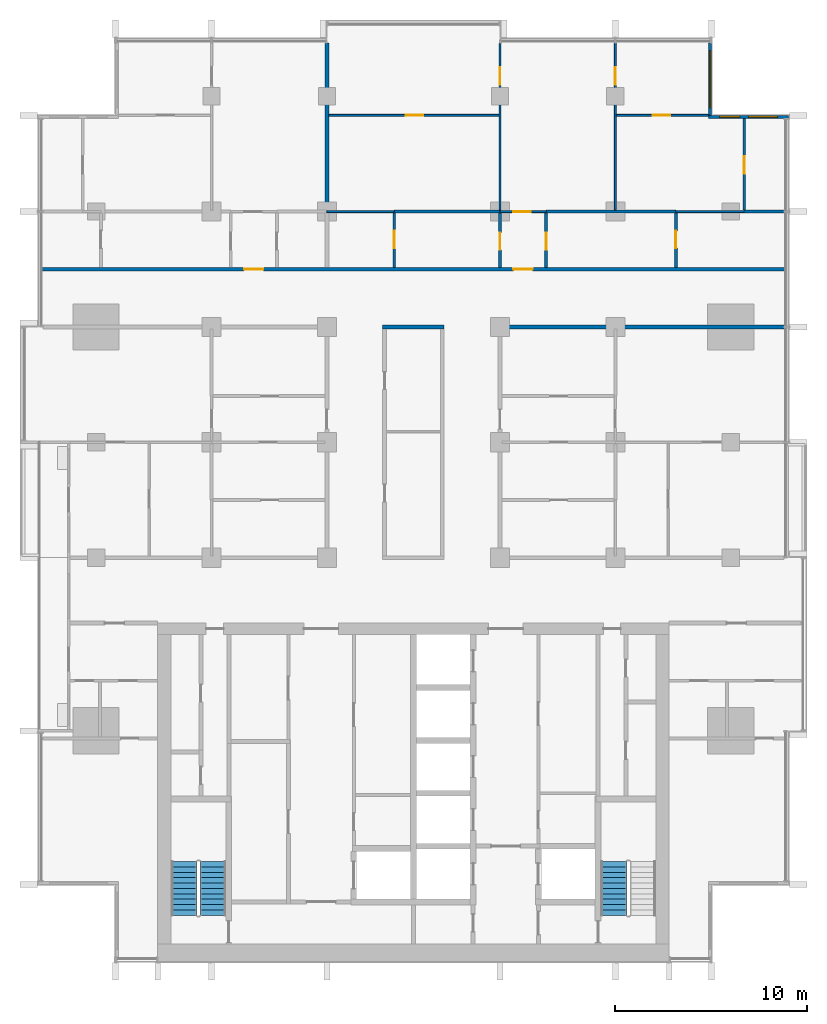
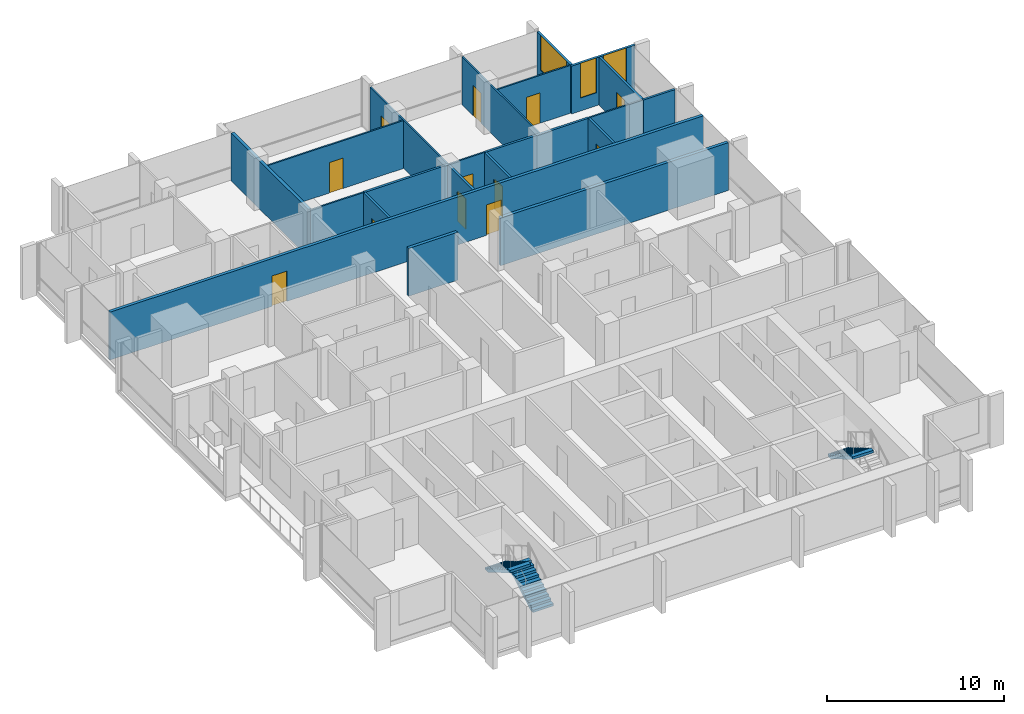
# One storey, part 11 of 17: 21 walls, 12 doors, 3 stair flights, 3 windows, 15 openings, 2 elements without a shape of their own.
"""IFC4 building model written with IfcOpenShell, lengths in metres."""

from ifc_helpers import new_model, si_unit, direction, frame, frame_2d, origin, place, context, subcontext, project, spatial, polyline, rectangle, outline, extrude, material, layer, layer_set, type_object, element, fill, aggregate, save


model = new_model("IFC4")

# Units and contexts
model_context = context("Model", 3, precision=1e-05, world=origin(), true_north=direction((0.0, 1.0)))
body_context = subcontext(model_context, "Body", "Model", "MODEL_VIEW")
ifc_project = project(units=[si_unit("LENGTHUNIT", "METRE"), si_unit("AREAUNIT", "SQUARE_METRE"), si_unit("VOLUMEUNIT", "CUBIC_METRE"), si_unit("PLANEANGLEUNIT", "RADIAN"), si_unit("MASSUNIT", "GRAM", prefix="KILO")], contexts=[model_context])

# Site, building, storey
site_placement = place(None, origin())
site = spatial("IfcSite", under=ifc_project, at=site_placement, CompositionType="ELEMENT")
building_placement = place(site_placement, origin())
building = spatial("IfcBuilding", under=site, at=building_placement, Name="Finial Court Residences", CompositionType="ELEMENT")
storey_placement = place(building_placement, frame((0.0, 0.0, 174.5)))
storey = spatial("IfcBuildingStorey", under=building, at=storey_placement, Name="L43", CompositionType="ELEMENT", Elevation=174.5)

# Walls
ifc_material_1 = material(Name="Gypsum board")
ifc_layer_1 = layer(ifc_material_1, 0.02490234375)
ifc_material_2 = material(Name="Acoustic mineral wool in double frame")
ifc_layer_2 = layer(ifc_material_2, 0.14990234375)
ifc_layer_3 = layer(ifc_material_1, 0.02490234375)
ifc_layer_set_1 = layer_set([ifc_layer_1, ifc_layer_2, ifc_layer_3], Name="Acoustic party wall 200, 1 hour")
wall_type_1 = type_object("IfcWallType", Name="Acoustic party wall 200, 1 hour", PredefinedType="PARTITIONING", material=ifc_layer_set_1)
wall_1_placement = place(storey_placement, frame((-4.5, 13.574951171875, 0.0), z_axis=(0.0, 0.0, 1.0), x_axis=(0.0, 1.0, 0.0)))
element("IfcWall", 1, at=wall_1_placement, inside=storey, type_object=wall_type_1, Name="Partition L43-049", PredefinedType="PARTITIONING", context=body_context, shape_type="SweptSolid", body=[
    extrude(rectangle(XDim=8.6875, YDim=0.199951171875, at=frame_2d((4.34375, 0.0))), origin(), (0.0, 0.0, 1.0), 3.300048828125),
])
ifc_layer_4 = layer(ifc_material_1, 0.02490234375)
ifc_layer_5 = layer(ifc_material_2, 0.14990234375)
ifc_layer_6 = layer(ifc_material_1, 0.02490234375)
ifc_layer_set_2 = layer_set([ifc_layer_4, ifc_layer_5, ifc_layer_6], Name="Corridor wall 200, 1 hour")
wall_type_2 = type_object("IfcWallType", Name="Corridor wall 200, 1 hour", PredefinedType="PARTITIONING", material=ifc_layer_set_2)
wall_2_placement = place(storey_placement, frame((-1.60009765625, 7.5, 0.0), z_axis=(0.0, 0.0, 1.0), x_axis=(1.0, 0.0, 0.0)))
element("IfcWall", 2, at=wall_2_placement, inside=storey, type_object=wall_type_2, Name="Partition L43-019", PredefinedType="PARTITIONING", context=body_context, shape_type="SweptSolid", body=[
    extrude(rectangle(XDim=3.2001953125, YDim=0.199951171875, at=frame_2d((1.60009765625, 0.0))), origin(), (0.0, 0.0, 1.0), 3.300048828125),
])
wall_3_placement = place(storey_placement, frame((4.39990234375, 7.5, 0.0), z_axis=(0.0, 0.0, 1.0), x_axis=(1.0, 0.0, 0.0)))
element("IfcWall", 3, at=wall_3_placement, inside=storey, type_object=wall_type_2, Name="Partition L43-020", PredefinedType="PARTITIONING", context=body_context, shape_type="SweptSolid", body=[
    extrude(rectangle(XDim=14.862548828125, YDim=0.199951171875, at=frame_2d((7.43115234375, 0.0))), origin(), (0.0, 0.0, 1.0), 3.300048828125),
])

# Wall, openings, doors
wall_4_placement = place(storey_placement, frame((-19.35009765625, 10.5, 0.0), z_axis=(0.0, 0.0, 1.0), x_axis=(1.0, 0.0, 0.0)))
wall_4 = element("IfcWall", 4, at=wall_4_placement, inside=storey, type_object=wall_type_2, Name="Partition L43-021", PredefinedType="PARTITIONING", context=body_context, shape_type="SweptSolid", body=[
    extrude(rectangle(XDim=38.7001953125, YDim=0.199951171875, at=frame_2d((19.35009765625, 0.0))), origin(), (0.0, 0.0, 1.0), 3.300048828125),
])
opening_1_placement = place(wall_4_placement, frame((10.550048828125, 0.0, 0.0)))
opening_1 = element("IfcOpeningElement", 5, at=opening_1_placement, cuts=wall_4, Name="Opening L43-D017", PredefinedType="OPENING", context=body_context, shape_type="SweptSolid", body=[
    extrude(rectangle(XDim=1.0, YDim=2.10009765625, at=frame_2d((0.5, 1.050048828125))), frame((0.0, 0.10986328125, 0.0), z_axis=(0.0, -1.0, 0.0), x_axis=(1.0, 0.0, 0.0)), (0.0, 0.0, 1.0), 0.219970703125),
])
opening_2_placement = place(wall_4_placement, frame((24.550048828125, 0.0, 0.0)))
opening_2 = element("IfcOpeningElement", 6, at=opening_2_placement, cuts=wall_4, Name="Opening L43-D018", PredefinedType="OPENING", context=body_context, shape_type="SweptSolid", body=[
    extrude(rectangle(XDim=1.0, YDim=2.10009765625, at=frame_2d((0.5, 1.050048828125))), frame((0.0, 0.10986328125, 0.0), z_axis=(0.0, -1.0, 0.0), x_axis=(1.0, 0.0, 0.0)), (0.0, 0.0, 1.0), 0.219970703125),
])
ifc_material_3 = material(Name="Timber door leaf in hollow metal frame", Category="wood")
door_type_1 = type_object("IfcDoorType", Name="Fire door set 1000 x 2100, 30 minutes", OperationType="SINGLE_SWING_LEFT", PredefinedType="DOOR", material=ifc_material_3)
door_1_placement = place(opening_1_placement, origin())
door_1 = element("IfcDoor", 7, at=door_1_placement, inside=storey, type_object=door_type_1, Name="Door L43-D017", OperationType="SINGLE_SWING_RIGHT", OverallHeight=2.10009765625, OverallWidth=1.0, PredefinedType="DOOR", context=body_context, shape_type="SweptSolid", body=[
    extrude(rectangle(XDim=1.0, YDim=2.10009765625, at=frame_2d((0.5, 1.050048828125))), frame((0.0, 0.02490234375, 0.0), z_axis=(0.0, -1.0, 0.0), x_axis=(1.0, 0.0, 0.0)), (0.0, 0.0, 1.0), 0.050048828125),
])
fill(opening_1, door_1)
door_2_placement = place(opening_2_placement, origin())
door_2 = element("IfcDoor", 8, at=door_2_placement, inside=storey, type_object=door_type_1, Name="Door L43-D018", OperationType="SINGLE_SWING_LEFT", OverallHeight=2.10009765625, OverallWidth=1.0, PredefinedType="DOOR", context=body_context, shape_type="SweptSolid", body=[
    extrude(rectangle(XDim=1.0, YDim=2.10009765625, at=frame_2d((0.5, 1.050048828125))), frame((0.0, 0.02490234375, 0.0), z_axis=(0.0, -1.0, 0.0), x_axis=(1.0, 0.0, 0.0)), (0.0, 0.0, 1.0), 0.050048828125),
])
fill(opening_2, door_2)

# Wall
ifc_layer_7 = layer(ifc_material_1, 0.012451171875)
ifc_material_4 = material(Name="Mineral wool in light-gauge frame")
ifc_layer_8 = layer(ifc_material_4, 0.074951171875)
ifc_layer_9 = layer(ifc_material_1, 0.012451171875)
ifc_layer_set_3 = layer_set([ifc_layer_7, ifc_layer_8, ifc_layer_9], Name="Gypsum board partition 100")
wall_type_3 = type_object("IfcWallType", Name="Gypsum board partition 100", PredefinedType="PARTITIONING", material=ifc_layer_set_3)
wall_5_placement = place(storey_placement, frame((-4.5, 13.5, 0.0), z_axis=(0.0, 0.0, 1.0), x_axis=(1.0, 0.0, 0.0)))
element("IfcWall", 9, at=wall_5_placement, inside=storey, type_object=wall_type_3, Name="Partition L43-024", PredefinedType="PARTITIONING", context=body_context, shape_type="SweptSolid", body=[
    extrude(rectangle(XDim=3.5, YDim=0.10009765625, at=frame_2d((1.75, 0.0))), origin(), (0.0, 0.0, 1.0), 3.300048828125),
])

# Wall, opening, door
wall_6_placement = place(storey_placement, frame((4.5, 13.5, 0.0), z_axis=(0.0, 0.0, 1.0), x_axis=(1.0, 0.0, 0.0)))
wall_6 = element("IfcWall", 10, at=wall_6_placement, inside=storey, type_object=wall_type_3, Name="Partition L43-025", PredefinedType="PARTITIONING", context=body_context, shape_type="SweptSolid", body=[
    extrude(rectangle(XDim=2.39990234375, YDim=0.10009765625, at=frame_2d((1.199951171875, 0.0))), origin(), (0.0, 0.0, 1.0), 3.300048828125),
])
opening_3_placement = place(wall_6_placement, frame((0.699951171875, 0.0, 0.0)))
opening_3 = element("IfcOpeningElement", 11, at=opening_3_placement, cuts=wall_6, Name="Opening L43-D020", PredefinedType="OPENING", context=body_context, shape_type="SweptSolid", body=[
    extrude(rectangle(XDim=0.89990234375, YDim=2.10009765625, at=frame_2d((0.449951171875, 1.050048828125))), frame((0.0, 0.06005859375, 0.0), z_axis=(0.0, -1.0, 0.0), x_axis=(1.0, 0.0, 0.0)), (0.0, 0.0, 1.0), 0.1201171875),
])
ifc_material_5 = material(Name="Timber door leaf in timber frame", Category="wood")
door_type_2 = type_object("IfcDoorType", Name="Door set 900 x 2100", OperationType="SINGLE_SWING_LEFT", PredefinedType="DOOR", material=ifc_material_5)
door_3_placement = place(opening_3_placement, origin())
door_3 = element("IfcDoor", 12, at=door_3_placement, inside=storey, type_object=door_type_2, Name="Door L43-D020", OperationType="SINGLE_SWING_RIGHT", OverallHeight=2.10009765625, OverallWidth=0.89990234375, PredefinedType="DOOR", context=body_context, shape_type="SweptSolid", body=[
    extrude(rectangle(XDim=0.89990234375, YDim=2.10009765625, at=frame_2d((0.449951171875, 1.050048828125))), frame((0.0, 0.02490234375, 0.0), z_axis=(0.0, -1.0, 0.0), x_axis=(1.0, 0.0, 0.0)), (0.0, 0.0, 1.0), 0.050048828125),
])
fill(opening_3, door_3)

# Wall
wall_7_placement = place(storey_placement, frame((13.64990234375, 13.5, 0.0), z_axis=(0.0, 0.0, 1.0), x_axis=(1.0, 0.0, 0.0)))
element("IfcWall", 13, at=wall_7_placement, inside=storey, type_object=wall_type_3, Name="Partition L43-026", PredefinedType="PARTITIONING", context=body_context, shape_type="SweptSolid", body=[
    extrude(rectangle(XDim=3.550048828125, YDim=0.10009765625, at=frame_2d((1.77490234375, 0.0))), origin(), (0.0, 0.0, 1.0), 3.300048828125),
])

# Wall, opening, door
wall_8_placement = place(storey_placement, frame((-4.39990234375, 18.5, 0.0), z_axis=(0.0, 0.0, 1.0), x_axis=(1.0, 0.0, 0.0)))
wall_8 = element("IfcWall", 14, at=wall_8_placement, inside=storey, type_object=wall_type_3, Name="Partition L43-034", PredefinedType="PARTITIONING", context=body_context, shape_type="SweptSolid", body=[
    extrude(rectangle(XDim=8.849853515625, YDim=0.10009765625, at=frame_2d((4.4248046875, 0.0))), origin(), (0.0, 0.0, 1.0), 3.300048828125),
])
opening_4_placement = place(wall_8_placement, frame((4.0, 0.0, 0.0)))
opening_4 = element("IfcOpeningElement", 15, at=opening_4_placement, cuts=wall_8, Name="Opening L43-D022", PredefinedType="OPENING", context=body_context, shape_type="SweptSolid", body=[
    extrude(rectangle(XDim=0.89990234375, YDim=2.10009765625, at=frame_2d((0.449951171875, 1.050048828125))), frame((0.0, 0.06005859375, 0.0), z_axis=(0.0, -1.0, 0.0), x_axis=(1.0, 0.0, 0.0)), (0.0, 0.0, 1.0), 0.1201171875),
])
door_4_placement = place(opening_4_placement, origin())
door_4 = element("IfcDoor", 16, at=door_4_placement, inside=storey, type_object=door_type_2, Name="Door L43-D022", OperationType="SINGLE_SWING_LEFT", OverallHeight=2.10009765625, OverallWidth=0.89990234375, PredefinedType="DOOR", context=body_context, shape_type="SweptSolid", body=[
    extrude(rectangle(XDim=0.89990234375, YDim=2.10009765625, at=frame_2d((0.449951171875, 1.050048828125))), frame((0.0, 0.02490234375, 0.0), z_axis=(0.0, -1.0, 0.0), x_axis=(1.0, 0.0, 0.0)), (0.0, 0.0, 1.0), 0.050048828125),
])
fill(opening_4, door_4)

wall_9_placement = place(storey_placement, frame((10.550048828125, 18.5, 0.0), z_axis=(0.0, 0.0, 1.0), x_axis=(1.0, 0.0, 0.0)))
wall_9 = element("IfcWall", 17, at=wall_9_placement, inside=storey, type_object=wall_type_3, Name="Partition L43-035", PredefinedType="PARTITIONING", context=body_context, shape_type="SweptSolid", body=[
    extrude(rectangle(XDim=4.800048828125, YDim=0.10009765625, at=frame_2d((2.39990234375, 0.0))), origin(), (0.0, 0.0, 1.0), 3.300048828125),
])
opening_5_placement = place(wall_9_placement, frame((1.89990234375, 0.0, 0.0)))
opening_5 = element("IfcOpeningElement", 18, at=opening_5_placement, cuts=wall_9, Name="Opening L43-D023", PredefinedType="OPENING", context=body_context, shape_type="SweptSolid", body=[
    extrude(rectangle(XDim=0.89990234375, YDim=2.10009765625, at=frame_2d((0.449951171875, 1.050048828125))), frame((0.0, 0.06005859375, 0.0), z_axis=(0.0, -1.0, 0.0), x_axis=(1.0, 0.0, 0.0)), (0.0, 0.0, 1.0), 0.1201171875),
])
door_5_placement = place(opening_5_placement, origin())
door_5 = element("IfcDoor", 19, at=door_5_placement, inside=storey, type_object=door_type_2, Name="Door L43-D023", OperationType="SINGLE_SWING_RIGHT", OverallHeight=2.10009765625, OverallWidth=0.89990234375, PredefinedType="DOOR", context=body_context, shape_type="SweptSolid", body=[
    extrude(rectangle(XDim=0.89990234375, YDim=2.10009765625, at=frame_2d((0.449951171875, 1.050048828125))), frame((0.0, 0.02490234375, 0.0), z_axis=(0.0, -1.0, 0.0), x_axis=(1.0, 0.0, 0.0)), (0.0, 0.0, 1.0), 0.050048828125),
])
fill(opening_5, door_5)

wall_10_placement = place(storey_placement, frame((4.5, 13.574951171875, 0.0), z_axis=(0.0, 0.0, 1.0), x_axis=(0.0, 1.0, 0.0)))
wall_10 = element("IfcWall", 20, at=wall_10_placement, inside=storey, type_object=wall_type_3, Name="Partition L43-054", PredefinedType="PARTITIONING", context=body_context, shape_type="SweptSolid", body=[
    extrude(rectangle(XDim=8.6875, YDim=0.10009765625, at=frame_2d((4.34375, 0.0))), origin(), (0.0, 0.0, 1.0), 3.300048828125),
])
opening_6_placement = place(wall_10_placement, frame((6.52490234375, 0.0, 0.0)))
opening_6 = element("IfcOpeningElement", 21, at=opening_6_placement, cuts=wall_10, Name="Opening L43-D036", PredefinedType="OPENING", context=body_context, shape_type="SweptSolid", body=[
    extrude(rectangle(XDim=0.89990234375, YDim=2.10009765625, at=frame_2d((0.449951171875, 1.050048828125))), frame((0.0, 0.06005859375, 0.0), z_axis=(0.0, -1.0, 0.0), x_axis=(1.0, 0.0, 0.0)), (0.0, 0.0, 1.0), 0.1201171875),
])
door_6_placement = place(opening_6_placement, origin())
door_6 = element("IfcDoor", 22, at=door_6_placement, inside=storey, type_object=door_type_2, Name="Door L43-D036", OperationType="SINGLE_SWING_LEFT", OverallHeight=2.10009765625, OverallWidth=0.89990234375, PredefinedType="DOOR", context=body_context, shape_type="SweptSolid", body=[
    extrude(rectangle(XDim=0.89990234375, YDim=2.10009765625, at=frame_2d((0.449951171875, 1.050048828125))), frame((0.0, 0.02490234375, 0.0), z_axis=(0.0, -1.0, 0.0), x_axis=(1.0, 0.0, 0.0)), (0.0, 0.0, 1.0), 0.050048828125),
])
fill(opening_6, door_6)

wall_11_placement = place(storey_placement, frame((10.5, 13.574951171875, 0.0), z_axis=(0.0, 0.0, 1.0), x_axis=(0.0, 1.0, 0.0)))
wall_11 = element("IfcWall", 23, at=wall_11_placement, inside=storey, type_object=wall_type_3, Name="Partition L43-059", PredefinedType="PARTITIONING", context=body_context, shape_type="SweptSolid", body=[
    extrude(rectangle(XDim=8.6875, YDim=0.10009765625, at=frame_2d((4.34375, 0.0))), origin(), (0.0, 0.0, 1.0), 3.300048828125),
])
opening_7_placement = place(wall_11_placement, frame((6.52490234375, 0.0, 0.0)))
opening_7 = element("IfcOpeningElement", 24, at=opening_7_placement, cuts=wall_11, Name="Opening L43-D040", PredefinedType="OPENING", context=body_context, shape_type="SweptSolid", body=[
    extrude(rectangle(XDim=0.89990234375, YDim=2.10009765625, at=frame_2d((0.449951171875, 1.050048828125))), frame((0.0, 0.06005859375, 0.0), z_axis=(0.0, -1.0, 0.0), x_axis=(1.0, 0.0, 0.0)), (0.0, 0.0, 1.0), 0.1201171875),
])
door_7_placement = place(opening_7_placement, origin())
door_7 = element("IfcDoor", 25, at=door_7_placement, inside=storey, type_object=door_type_2, Name="Door L43-D040", OperationType="SINGLE_SWING_RIGHT", OverallHeight=2.10009765625, OverallWidth=0.89990234375, PredefinedType="DOOR", context=body_context, shape_type="SweptSolid", body=[
    extrude(rectangle(XDim=0.89990234375, YDim=2.10009765625, at=frame_2d((0.449951171875, 1.050048828125))), frame((0.0, 0.02490234375, 0.0), z_axis=(0.0, -1.0, 0.0), x_axis=(1.0, 0.0, 0.0)), (0.0, 0.0, 1.0), 0.050048828125),
])
fill(opening_7, door_7)

# Walls
ifc_material_6 = material(Name="Moisture-resistant gypsum board")
ifc_layer_10 = layer(ifc_material_6, 0.012451171875)
ifc_layer_11 = layer(ifc_material_4, 0.125)
ifc_layer_12 = layer(ifc_material_6, 0.012451171875)
ifc_layer_set_4 = layer_set([ifc_layer_10, ifc_layer_11, ifc_layer_12], Name="Gypsum board wet-area partition 150")
wall_type_4 = type_object("IfcWallType", Name="Gypsum board wet-area partition 150", PredefinedType="PARTITIONING", material=ifc_layer_set_4)
wall_12_placement = place(storey_placement, frame((-1.0, 13.5, 0.0), z_axis=(0.0, 0.0, 1.0), x_axis=(1.0, 0.0, 0.0)))
element("IfcWall", 26, at=wall_12_placement, inside=storey, type_object=wall_type_4, Name="Partition L43-030", PredefinedType="PARTITIONING", context=body_context, shape_type="SweptSolid", body=[
    extrude(rectangle(XDim=5.5, YDim=0.14990234375, at=frame_2d((2.75, 0.0))), origin(), (0.0, 0.0, 1.0), 3.300048828125),
])
wall_13_placement = place(storey_placement, frame((6.89990234375, 13.5, 0.0), z_axis=(0.0, 0.0, 1.0), x_axis=(1.0, 0.0, 0.0)))
element("IfcWall", 27, at=wall_13_placement, inside=storey, type_object=wall_type_4, Name="Partition L43-031", PredefinedType="PARTITIONING", context=body_context, shape_type="SweptSolid", body=[
    extrude(rectangle(XDim=6.75, YDim=0.14990234375, at=frame_2d((3.375, 0.0))), origin(), (0.0, 0.0, 1.0), 3.300048828125),
])
wall_14_placement = place(storey_placement, frame((17.199951171875, 13.5, 0.0), z_axis=(0.0, 0.0, 1.0), x_axis=(1.0, 0.0, 0.0)))
element("IfcWall", 28, at=wall_14_placement, inside=storey, type_object=wall_type_4, Name="Partition L43-032", PredefinedType="PARTITIONING", context=body_context, shape_type="SweptSolid", body=[
    extrude(rectangle(XDim=2.0625, YDim=0.14990234375, at=frame_2d((1.03125, 0.0))), origin(), (0.0, 0.0, 1.0), 3.300048828125),
])

# Wall, opening, door
wall_15_placement = place(storey_placement, frame((-1.0, 10.60009765625, 0.0), z_axis=(0.0, 0.0, 1.0), x_axis=(0.0, 1.0, 0.0)))
wall_15 = element("IfcWall", 29, at=wall_15_placement, inside=storey, type_object=wall_type_4, Name="Partition L43-051", PredefinedType="PARTITIONING", context=body_context, shape_type="SweptSolid", body=[
    extrude(rectangle(XDim=2.824951171875, YDim=0.14990234375, at=frame_2d((1.41259765625, 0.0))), origin(), (0.0, 0.0, 1.0), 3.300048828125),
])
opening_8_placement = place(wall_15_placement, frame((1.0, 0.0, 0.0)))
opening_8 = element("IfcOpeningElement", 30, at=opening_8_placement, cuts=wall_15, Name="Opening L43-D034", PredefinedType="OPENING", context=body_context, shape_type="SweptSolid", body=[
    extrude(rectangle(XDim=0.89990234375, YDim=2.10009765625, at=frame_2d((0.449951171875, 1.050048828125))), frame((0.0, 0.0849609375, 0.0), z_axis=(0.0, -1.0, 0.0), x_axis=(1.0, 0.0, 0.0)), (0.0, 0.0, 1.0), 0.169921875),
])
door_8_placement = place(opening_8_placement, origin())
door_8 = element("IfcDoor", 31, at=door_8_placement, inside=storey, type_object=door_type_2, Name="Door L43-D034", OperationType="SINGLE_SWING_LEFT", OverallHeight=2.10009765625, OverallWidth=0.89990234375, PredefinedType="DOOR", context=body_context, shape_type="SweptSolid", body=[
    extrude(rectangle(XDim=0.89990234375, YDim=2.10009765625, at=frame_2d((0.449951171875, 1.050048828125))), frame((0.0, 0.02490234375, 0.0), z_axis=(0.0, -1.0, 0.0), x_axis=(1.0, 0.0, 0.0)), (0.0, 0.0, 1.0), 0.050048828125),
])
fill(opening_8, door_8)

wall_16_placement = place(storey_placement, frame((4.5, 10.60009765625, 0.0), z_axis=(0.0, 0.0, 1.0), x_axis=(0.0, 1.0, 0.0)))
wall_16 = element("IfcWall", 32, at=wall_16_placement, inside=storey, type_object=wall_type_4, Name="Partition L43-055", PredefinedType="PARTITIONING", context=body_context, shape_type="SweptSolid", body=[
    extrude(rectangle(XDim=2.824951171875, YDim=0.14990234375, at=frame_2d((1.41259765625, 0.0))), origin(), (0.0, 0.0, 1.0), 3.300048828125),
])
opening_9_placement = place(wall_16_placement, frame((0.89990234375, 0.0, 0.0)))
opening_9 = element("IfcOpeningElement", 33, at=opening_9_placement, cuts=wall_16, Name="Opening L43-D037", PredefinedType="OPENING", context=body_context, shape_type="SweptSolid", body=[
    extrude(rectangle(XDim=0.89990234375, YDim=2.10009765625, at=frame_2d((0.449951171875, 1.050048828125))), frame((0.0, 0.0849609375, 0.0), z_axis=(0.0, -1.0, 0.0), x_axis=(1.0, 0.0, 0.0)), (0.0, 0.0, 1.0), 0.169921875),
])
door_9_placement = place(opening_9_placement, origin())
door_9 = element("IfcDoor", 34, at=door_9_placement, inside=storey, type_object=door_type_2, Name="Door L43-D037", OperationType="SINGLE_SWING_RIGHT", OverallHeight=2.10009765625, OverallWidth=0.89990234375, PredefinedType="DOOR", context=body_context, shape_type="SweptSolid", body=[
    extrude(rectangle(XDim=0.89990234375, YDim=2.10009765625, at=frame_2d((0.449951171875, 1.050048828125))), frame((0.0, 0.02490234375, 0.0), z_axis=(0.0, -1.0, 0.0), x_axis=(1.0, 0.0, 0.0)), (0.0, 0.0, 1.0), 0.050048828125),
])
fill(opening_9, door_9)

wall_17_placement = place(storey_placement, frame((6.89990234375, 10.60009765625, 0.0), z_axis=(0.0, 0.0, 1.0), x_axis=(0.0, 1.0, 0.0)))
wall_17 = element("IfcWall", 35, at=wall_17_placement, inside=storey, type_object=wall_type_4, Name="Partition L43-056", PredefinedType="PARTITIONING", context=body_context, shape_type="SweptSolid", body=[
    extrude(rectangle(XDim=2.824951171875, YDim=0.14990234375, at=frame_2d((1.41259765625, 0.0))), origin(), (0.0, 0.0, 1.0), 3.300048828125),
])
opening_10_placement = place(wall_17_placement, frame((0.89990234375, 0.0, 0.0)))
opening_10 = element("IfcOpeningElement", 36, at=opening_10_placement, cuts=wall_17, Name="Opening L43-D038", PredefinedType="OPENING", context=body_context, shape_type="SweptSolid", body=[
    extrude(rectangle(XDim=0.89990234375, YDim=2.10009765625, at=frame_2d((0.449951171875, 1.050048828125))), frame((0.0, 0.0849609375, 0.0), z_axis=(0.0, -1.0, 0.0), x_axis=(1.0, 0.0, 0.0)), (0.0, 0.0, 1.0), 0.169921875),
])
door_10_placement = place(opening_10_placement, origin())
door_10 = element("IfcDoor", 37, at=door_10_placement, inside=storey, type_object=door_type_2, Name="Door L43-D038", OperationType="SINGLE_SWING_LEFT", OverallHeight=2.10009765625, OverallWidth=0.89990234375, PredefinedType="DOOR", context=body_context, shape_type="SweptSolid", body=[
    extrude(rectangle(XDim=0.89990234375, YDim=2.10009765625, at=frame_2d((0.449951171875, 1.050048828125))), frame((0.0, 0.02490234375, 0.0), z_axis=(0.0, -1.0, 0.0), x_axis=(1.0, 0.0, 0.0)), (0.0, 0.0, 1.0), 0.050048828125),
])
fill(opening_10, door_10)

wall_18_placement = place(storey_placement, frame((13.64990234375, 10.60009765625, 0.0), z_axis=(0.0, 0.0, 1.0), x_axis=(0.0, 1.0, 0.0)))
wall_18 = element("IfcWall", 38, at=wall_18_placement, inside=storey, type_object=wall_type_4, Name="Partition L43-063", PredefinedType="PARTITIONING", context=body_context, shape_type="SweptSolid", body=[
    extrude(rectangle(XDim=2.824951171875, YDim=0.14990234375, at=frame_2d((1.41259765625, 0.0))), origin(), (0.0, 0.0, 1.0), 3.300048828125),
])
opening_11_placement = place(wall_18_placement, frame((1.0, 0.0, 0.0)))
opening_11 = element("IfcOpeningElement", 39, at=opening_11_placement, cuts=wall_18, Name="Opening L43-D042", PredefinedType="OPENING", context=body_context, shape_type="SweptSolid", body=[
    extrude(rectangle(XDim=0.89990234375, YDim=2.10009765625, at=frame_2d((0.449951171875, 1.050048828125))), frame((0.0, 0.0849609375, 0.0), z_axis=(0.0, -1.0, 0.0), x_axis=(1.0, 0.0, 0.0)), (0.0, 0.0, 1.0), 0.169921875),
])
door_11_placement = place(opening_11_placement, origin())
door_11 = element("IfcDoor", 40, at=door_11_placement, inside=storey, type_object=door_type_2, Name="Door L43-D042", OperationType="SINGLE_SWING_RIGHT", OverallHeight=2.10009765625, OverallWidth=0.89990234375, PredefinedType="DOOR", context=body_context, shape_type="SweptSolid", body=[
    extrude(rectangle(XDim=0.89990234375, YDim=2.10009765625, at=frame_2d((0.449951171875, 1.050048828125))), frame((0.0, 0.02490234375, 0.0), z_axis=(0.0, -1.0, 0.0), x_axis=(1.0, 0.0, 0.0)), (0.0, 0.0, 1.0), 0.050048828125),
])
fill(opening_11, door_11)

wall_19_placement = place(storey_placement, frame((17.199951171875, 13.574951171875, 0.0), z_axis=(0.0, 0.0, 1.0), x_axis=(0.0, 1.0, 0.0)))
wall_19 = element("IfcWall", 41, at=wall_19_placement, inside=storey, type_object=wall_type_4, Name="Partition L43-065", PredefinedType="PARTITIONING", context=body_context, shape_type="SweptSolid", body=[
    extrude(rectangle(XDim=4.775146484375, YDim=0.14990234375, at=frame_2d((2.3876953125, 0.0))), origin(), (0.0, 0.0, 1.0), 3.300048828125),
])
opening_12_placement = place(wall_19_placement, frame((1.89990234375, 0.0, 0.0)))
opening_12 = element("IfcOpeningElement", 42, at=opening_12_placement, cuts=wall_19, Name="Opening L43-D043", PredefinedType="OPENING", context=body_context, shape_type="SweptSolid", body=[
    extrude(rectangle(XDim=0.89990234375, YDim=2.10009765625, at=frame_2d((0.449951171875, 1.050048828125))), frame((0.0, 0.0849609375, 0.0), z_axis=(0.0, -1.0, 0.0), x_axis=(1.0, 0.0, 0.0)), (0.0, 0.0, 1.0), 0.169921875),
])
door_12_placement = place(opening_12_placement, origin())
door_12 = element("IfcDoor", 43, at=door_12_placement, inside=storey, type_object=door_type_2, Name="Door L43-D043", OperationType="SINGLE_SWING_LEFT", OverallHeight=2.10009765625, OverallWidth=0.89990234375, PredefinedType="DOOR", context=body_context, shape_type="SweptSolid", body=[
    extrude(rectangle(XDim=0.89990234375, YDim=2.10009765625, at=frame_2d((0.449951171875, 1.050048828125))), frame((0.0, 0.02490234375, 0.0), z_axis=(0.0, -1.0, 0.0), x_axis=(1.0, 0.0, 0.0)), (0.0, 0.0, 1.0), 0.050048828125),
])
fill(opening_12, door_12)

# Wall, opening, window
ifc_material_7 = material(Name="Natural limestone", Category="masonry")
ifc_layer_13 = layer(ifc_material_7, 0.14990234375)
ifc_layer_set_5 = layer_set([ifc_layer_13], Name="Limestone clad wall 150")
wall_type_5 = type_object("IfcWallType", Name="Limestone clad wall 150", PredefinedType="SOLIDWALL", material=ifc_layer_set_5)
wall_20_placement = place(storey_placement, frame((15.425048828125, 22.262451171875, 0.0), z_axis=(0.0, 0.0, 1.0), x_axis=(0.0, -1.0, 0.0)))
wall_20 = element("IfcWall", 44, at=wall_20_placement, inside=storey, type_object=wall_type_5, Name="E-L43-NWE18", PredefinedType="SOLIDWALL", context=body_context, shape_type="SweptSolid", body=[
    extrude(rectangle(XDim=3.762451171875, YDim=0.14990234375, at=frame_2d((1.88134765625, 0.0))), origin(), (0.0, 0.0, 1.0), 3.300048828125),
])
opening_13_placement = place(wall_20_placement, frame((0.401123046875, 0.0, 0.89990234375)))
opening_13 = element("IfcOpeningElement", 45, at=opening_13_placement, cuts=wall_20, Name="Opening WE43-08", PredefinedType="OPENING", context=body_context, shape_type="SweptSolid", body=[
    extrude(rectangle(XDim=2.9599609375, YDim=2.39990234375, at=frame_2d((1.47998046875, 1.199951171875))), frame((0.0, 0.0849609375, 0.0), z_axis=(0.0, -1.0, 0.0), x_axis=(1.0, 0.0, 0.0)), (0.0, 0.0, 1.0), 0.169921875),
])
ifc_material_8 = material(Name="Clear low-e glass", Category="glass")
window_type_1 = type_object("IfcWindowType", Name="Corner window 2960 x 2400", PartitioningType="SINGLE_PANEL", PredefinedType="WINDOW", material=ifc_material_8)
window_1_placement = place(opening_13_placement, origin())
window_1 = element("IfcWindow", 46, at=window_1_placement, inside=storey, type_object=window_type_1, Name="E-L43-NWE18-W1", OverallHeight=2.39990234375, OverallWidth=2.9599609375, PartitioningType="SINGLE_PANEL", PredefinedType="WINDOW", context=body_context, shape_type="SweptSolid", body=[
    extrude(rectangle(XDim=2.9599609375, YDim=2.39990234375, at=frame_2d((1.47998046875, 1.199951171875))), frame((0.0, 0.030029296875, 0.0), z_axis=(0.0, -1.0, 0.0), x_axis=(1.0, 0.0, 0.0)), (0.0, 0.0, 1.0), 0.06005859375),
])
fill(opening_13, window_1)

# Wall, openings, windows
wall_21_placement = place(storey_placement, frame((15.35009765625, 18.425048828125, 0.0), z_axis=(0.0, 0.0, 1.0), x_axis=(1.0, 0.0, 0.0)))
wall_21 = element("IfcWall", 47, at=wall_21_placement, inside=storey, type_object=wall_type_5, Name="E-L43-NWN19", PredefinedType="SOLIDWALL", context=body_context, shape_type="SweptSolid", body=[
    extrude(rectangle(XDim=4.14990234375, YDim=0.14990234375, at=frame_2d((2.074951171875, 0.0))), origin(), (0.0, 0.0, 1.0), 3.300048828125),
])
opening_14_placement = place(wall_21_placement, frame((0.574951171875, 0.0, 0.89990234375)))
opening_14 = element("IfcOpeningElement", 48, at=opening_14_placement, cuts=wall_21, Name="Opening WE43-09", PredefinedType="OPENING", context=body_context, shape_type="SweptSolid", body=[
    extrude(rectangle(XDim=1.050048828125, YDim=2.39990234375, at=frame_2d((0.52490234375, 1.199951171875))), frame((0.0, 0.0849609375, 0.0), z_axis=(0.0, -1.0, 0.0), x_axis=(1.0, 0.0, 0.0)), (0.0, 0.0, 1.0), 0.169921875),
])
opening_15_placement = place(wall_21_placement, frame((2.074951171875, 0.0, 0.89990234375)))
opening_15 = element("IfcOpeningElement", 49, at=opening_15_placement, cuts=wall_21, Name="Opening WE43-10", PredefinedType="OPENING", context=body_context, shape_type="SweptSolid", body=[
    extrude(rectangle(XDim=1.5, YDim=2.39990234375, at=frame_2d((0.75, 1.199951171875))), frame((0.0, 0.0849609375, 0.0), z_axis=(0.0, -1.0, 0.0), x_axis=(1.0, 0.0, 0.0)), (0.0, 0.0, 1.0), 0.169921875),
])
window_type_2 = type_object("IfcWindowType", Name="Corner window 1050 x 2400", PartitioningType="SINGLE_PANEL", PredefinedType="WINDOW", material=ifc_material_8)
window_2_placement = place(opening_14_placement, origin())
window_2 = element("IfcWindow", 50, at=window_2_placement, inside=storey, type_object=window_type_2, Name="E-L43-NWN19-W1", OverallHeight=2.39990234375, OverallWidth=1.050048828125, PartitioningType="SINGLE_PANEL", PredefinedType="WINDOW", context=body_context, shape_type="SweptSolid", body=[
    extrude(rectangle(XDim=1.050048828125, YDim=2.39990234375, at=frame_2d((0.52490234375, 1.199951171875))), frame((0.0, 0.030029296875, 0.0), z_axis=(0.0, -1.0, 0.0), x_axis=(1.0, 0.0, 0.0)), (0.0, 0.0, 1.0), 0.06005859375),
])
fill(opening_14, window_2)
window_type_3 = type_object("IfcWindowType", Name="Corner window 1500 x 2400", PartitioningType="SINGLE_PANEL", PredefinedType="WINDOW", material=ifc_material_8)
window_3_placement = place(opening_15_placement, origin())
window_3 = element("IfcWindow", 51, at=window_3_placement, inside=storey, type_object=window_type_3, Name="E-L43-NWN19-W2", OverallHeight=2.39990234375, OverallWidth=1.5, PartitioningType="SINGLE_PANEL", PredefinedType="WINDOW", context=body_context, shape_type="SweptSolid", body=[
    extrude(rectangle(XDim=1.5, YDim=2.39990234375, at=frame_2d((0.75, 1.199951171875))), frame((0.0, 0.030029296875, 0.0), z_axis=(0.0, -1.0, 0.0), x_axis=(1.0, 0.0, 0.0)), (0.0, 0.0, 1.0), 0.06005859375),
])
fill(opening_15, window_3)

# Stair, stair flights
ifc_material_9 = material(Name="Concrete C50/60", Category="concrete")
stair_type = type_object("IfcStairType", Name="Exit stair 22 risers of 163.6 mm", PredefinedType="HALF_TURN_STAIR", material=ifc_material_9)
stair_1_placement = place(storey_placement, origin())
stair_1 = element("IfcStair", 52, at=stair_1_placement, inside=storey, type_object=stair_type, Name="L43 Exit stair ST-1", PredefinedType="HALF_TURN_STAIR")
stair_flight_type = type_object("IfcStairFlightType", Name="Exit stair flight", PredefinedType="STRAIGHT", material=ifc_material_9)
stair_flight_1_placement = place(storey_placement, frame((-10.425048828125, -23.10009765625, 0.0), z_axis=(0.0, 0.0, 1.0), x_axis=(0.0, 1.0, 0.0)))
stair_flight_1 = element("IfcStairFlight", 53, at=stair_flight_1_placement, type_object=stair_flight_type, Name="ST-1 flight 1", NumberOfRisers=11, NumberOfTreads=10, PredefinedType="STRAIGHT", RiserHeight=0.163636364, TreadLength=0.28, context=body_context, shape_type="SweptSolid", body=[
    extrude(outline(polyline([(0.0, 0.0), (0.0, 0.16357421875), (0.280029296875, 0.16357421875), (0.280029296875, 0.327392578125), (0.56005859375, 0.327392578125), (0.56005859375, 0.490966796875), (0.840087890625, 0.490966796875), (0.840087890625, 0.654541015625), (1.1201171875, 0.654541015625), (1.1201171875, 0.818115234375), (1.39990234375, 0.818115234375), (1.39990234375, 0.98193359375), (1.679931640625, 0.98193359375), (1.679931640625, 1.1455078125), (1.9599609375, 1.1455078125), (1.9599609375, 1.30908203125), (2.239990234375, 1.30908203125), (2.239990234375, 1.47265625), (2.52001953125, 1.47265625), (2.52001953125, 1.636474609375), (2.800048828125, 1.636474609375), (2.800048828125, 1.800048828125), (2.800048828125, 1.462646484375), (0.297119140625, 0.0), (0.0, 0.0)])), frame((0.0, 0.675048828125, 0.0), z_axis=(0.0, -1.0, 0.0), x_axis=(1.0, 0.0, 0.0)), (0.0, 0.0, 1.0), 1.35009765625),
])
stair_flight_2_placement = place(storey_placement, frame((-11.925048828125, -20.300048828125, 1.800048828125), z_axis=(0.0, 0.0, 1.0), x_axis=(0.0, -1.0, 0.0)))
stair_flight_2 = element("IfcStairFlight", 54, at=stair_flight_2_placement, type_object=stair_flight_type, Name="ST-1 flight 2", NumberOfRisers=11, NumberOfTreads=10, PredefinedType="STRAIGHT", RiserHeight=0.163636364, TreadLength=0.28, context=body_context, shape_type="SweptSolid", body=[
    extrude(outline(polyline([(0.0, 0.0), (0.0, 0.16357421875), (0.280029296875, 0.16357421875), (0.280029296875, 0.327392578125), (0.56005859375, 0.327392578125), (0.56005859375, 0.490966796875), (0.840087890625, 0.490966796875), (0.840087890625, 0.654541015625), (1.1201171875, 0.654541015625), (1.1201171875, 0.818115234375), (1.39990234375, 0.818115234375), (1.39990234375, 0.98193359375), (1.679931640625, 0.98193359375), (1.679931640625, 1.1455078125), (1.9599609375, 1.1455078125), (1.9599609375, 1.30908203125), (2.239990234375, 1.30908203125), (2.239990234375, 1.47265625), (2.52001953125, 1.47265625), (2.52001953125, 1.636474609375), (2.800048828125, 1.636474609375), (2.800048828125, 1.800048828125), (2.800048828125, 1.462646484375), (0.297119140625, 0.0), (0.0, 0.0)])), frame((0.0, 0.675048828125, 0.0), z_axis=(0.0, -1.0, 0.0), x_axis=(1.0, 0.0, 0.0)), (0.0, 0.0, 1.0), 1.35009765625),
])
aggregate(stair_1, [stair_flight_1, stair_flight_2])

# Stair, stair flight
stair_2_placement = place(storey_placement, origin())
stair_2 = element("IfcStair", 55, at=stair_2_placement, inside=storey, type_object=stair_type, Name="L43 Exit stair ST-2", PredefinedType="HALF_TURN_STAIR")
stair_flight_3_placement = place(storey_placement, frame((10.425048828125, -20.300048828125, 1.800048828125), z_axis=(0.0, 0.0, 1.0), x_axis=(0.0, -1.0, 0.0)))
stair_flight_3 = element("IfcStairFlight", 56, at=stair_flight_3_placement, type_object=stair_flight_type, Name="ST-2 flight 2", NumberOfRisers=11, NumberOfTreads=10, PredefinedType="STRAIGHT", RiserHeight=0.163636364, TreadLength=0.28, context=body_context, shape_type="SweptSolid", body=[
    extrude(outline(polyline([(0.0, 0.0), (0.0, 0.16357421875), (0.280029296875, 0.16357421875), (0.280029296875, 0.327392578125), (0.56005859375, 0.327392578125), (0.56005859375, 0.490966796875), (0.840087890625, 0.490966796875), (0.840087890625, 0.654541015625), (1.1201171875, 0.654541015625), (1.1201171875, 0.818115234375), (1.39990234375, 0.818115234375), (1.39990234375, 0.98193359375), (1.679931640625, 0.98193359375), (1.679931640625, 1.1455078125), (1.9599609375, 1.1455078125), (1.9599609375, 1.30908203125), (2.239990234375, 1.30908203125), (2.239990234375, 1.47265625), (2.52001953125, 1.47265625), (2.52001953125, 1.636474609375), (2.800048828125, 1.636474609375), (2.800048828125, 1.800048828125), (2.800048828125, 1.462646484375), (0.297119140625, 0.0), (0.0, 0.0)])), frame((0.0, 0.675048828125, 0.0), z_axis=(0.0, -1.0, 0.0), x_axis=(1.0, 0.0, 0.0)), (0.0, 0.0, 1.0), 1.35009765625),
])
aggregate(stair_2, [stair_flight_3])

save(model, "model.ifc")
